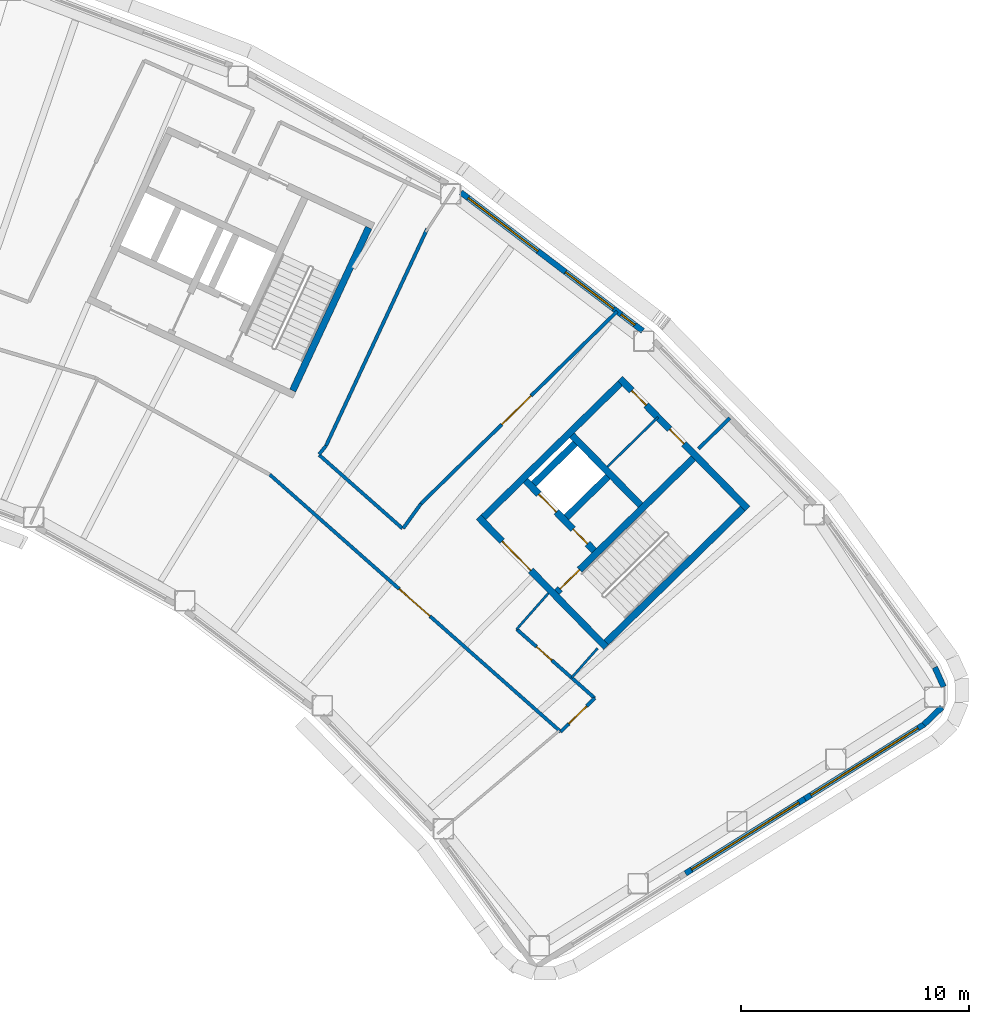
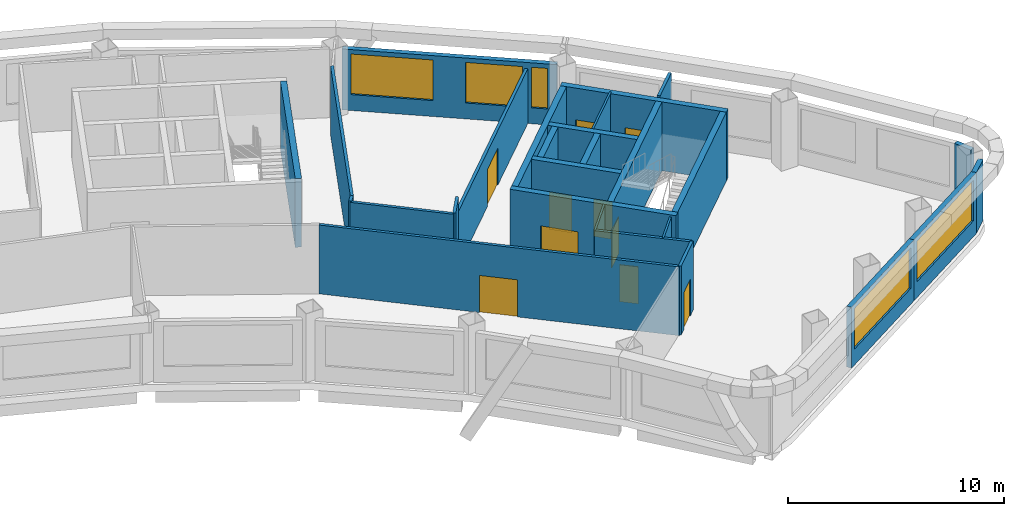
# One storey, part 8 of 12: 27 walls, 10 doors, 5 windows, 15 openings.
"""IFC4 building model written with IfcOpenShell, lengths in metres."""

from ifc_helpers import new_model, si_unit, direction, frame, frame_2d, origin, place, context, subcontext, project, spatial, rectangle, extrude, material, layer, layer_set, type_object, element, fill, save


model = new_model("IFC4")

# Units and contexts
model_context = context("Model", 3, precision=1e-05, world=origin(), true_north=direction((0.0, 1.0)))
body_context = subcontext(model_context, "Body", "Model", "MODEL_VIEW")
ifc_project = project(units=[si_unit("LENGTHUNIT", "METRE"), si_unit("AREAUNIT", "SQUARE_METRE"), si_unit("VOLUMEUNIT", "CUBIC_METRE"), si_unit("PLANEANGLEUNIT", "RADIAN"), si_unit("MASSUNIT", "GRAM", prefix="KILO")], contexts=[model_context])

# Site, building, storey
site_placement = place(None, origin())
site = spatial("IfcSite", under=ifc_project, at=site_placement, CompositionType="ELEMENT")
building_placement = place(site_placement, origin())
building = spatial("IfcBuilding", under=site, at=building_placement, Name="Tuul Gate Civic Tower", CompositionType="ELEMENT")
storey_placement = place(building_placement, frame((0.0, 0.0, 176.300048828125)))
storey = spatial("IfcBuildingStorey", under=building, at=storey_placement, Name="Level 40", CompositionType="ELEMENT", Elevation=176.300048828125)

# Wall, opening, door
ifc_material_1 = material(Name="Concrete C50/60", Category="concrete")
ifc_layer_1 = layer(ifc_material_1, 0.300048828125)
ifc_layer_set_1 = layer_set([ifc_layer_1], Name="Concrete C50/60")
wall_type_1 = type_object("IfcWallType", Name="Core wall C50/60", PredefinedType="SHEAR", material=ifc_layer_set_1)
wall_1_placement = place(storey_placement, frame((48.22509765625, -18.327880859375, 0.0), z_axis=(0.0, 0.0, 1.0), x_axis=(-0.700021979774, 0.714121297703, 0.0)))
wall_1 = element("IfcWall", 1, at=wall_1_placement, inside=storey, type_object=wall_type_1, Name="Core wall", PredefinedType="SHEAR", context=body_context, shape_type="SweptSolid", body=[
    extrude(rectangle(XDim=8.0, YDim=0.300048828125, at=frame_2d((4.0, 0.0))), origin(), (0.0, 0.0, 1.0), 3.89990234375),
])
opening_1_placement = place(wall_1_placement, frame((4.72509765625, 0.0, 0.0)))
opening_1 = element("IfcOpeningElement", 2, at=opening_1_placement, cuts=wall_1, Name="Opening LB-E1-LOBBY-1", PredefinedType="OPENING", context=body_context, shape_type="SweptSolid", body=[
    extrude(rectangle(XDim=1.800048828125, YDim=2.10009765625, at=frame_2d((0.89990234375, 1.050048828125))), frame((0.0, 0.16015625, 0.0), z_axis=(0.0, -1.0, 0.0), x_axis=(1.0, 0.0, 0.0)), (0.0, 0.0, 1.0), 0.320068359375),
])
ifc_material_2 = material(Name="Steel", Category="steel")
door_type_1 = type_object("IfcDoorType", Name="Lobby door", OperationType="DOUBLE_DOOR_SINGLE_SWING", PredefinedType="DOOR", material=ifc_material_2)
door_1_placement = place(opening_1_placement, frame((1.800048828125, 0.0, 0.0), z_axis=(0.0, 0.0, 1.0), x_axis=(-1.0, 0.0, 0.0)))
door_1 = element("IfcDoor", 3, at=door_1_placement, inside=storey, type_object=door_type_1, Name="Lobby door E1-LOBBY", OperationType="DOUBLE_DOOR_SINGLE_SWING", OverallHeight=2.10009765625, OverallWidth=1.800048828125, PredefinedType="DOOR", context=body_context, shape_type="SweptSolid", body=[
    extrude(rectangle(XDim=1.800048828125, YDim=2.10009765625, at=frame_2d((0.900146484375, 1.050048828125))), frame((0.0, 0.02490234375, 0.0), z_axis=(0.0, -1.0, 0.0), x_axis=(1.0, 0.0, 0.0)), (0.0, 0.0, 1.0), 0.050048828125),
])
fill(opening_1, door_1)

# Wall, openings, doors
wall_2_placement = place(storey_placement, frame((47.701904296875, -14.079833984375, 0.0), z_axis=(0.0, 0.0, 1.0), x_axis=(-0.700002721075, 0.714140175657, 0.0)))
wall_2 = element("IfcWall", 4, at=wall_2_placement, inside=storey, type_object=wall_type_1, Name="Core wall", PredefinedType="SHEAR", context=body_context, shape_type="SweptSolid", body=[
    extrude(rectangle(XDim=4.300048828125, YDim=0.300048828125, at=frame_2d((2.14990234375, 0.0))), origin(), (0.0, 0.0, 1.0), 3.89990234375),
])
opening_2_placement = place(wall_2_placement, frame((0.425048828125, 0.0, 0.0)))
opening_2 = element("IfcOpeningElement", 5, at=opening_2_placement, cuts=wall_2, Name="Opening FB-E1A1", PredefinedType="OPENING", context=body_context, shape_type="SweptSolid", body=[
    extrude(rectangle(XDim=0.89990234375, YDim=2.10009765625, at=frame_2d((0.449951171875, 1.050048828125))), frame((0.0, 0.16015625, 0.0), z_axis=(0.0, -1.0, 0.0), x_axis=(1.0, 0.0, 0.0)), (0.0, 0.0, 1.0), 0.320068359375),
])
opening_3_placement = place(wall_2_placement, frame((2.375, 0.0, 0.0)))
opening_3 = element("IfcOpeningElement", 6, at=opening_3_placement, cuts=wall_2, Name="Opening LD-M3", PredefinedType="OPENING", context=body_context, shape_type="SweptSolid", body=[
    extrude(rectangle(XDim=1.10009765625, YDim=2.10009765625, at=frame_2d((0.550048828125, 1.050048828125))), frame((0.0, 0.16015625, 0.0), z_axis=(0.0, -1.0, 0.0), x_axis=(1.0, 0.0, 0.0)), (0.0, 0.0, 1.0), 0.320068359375),
])
ifc_material_3 = material(Name="Stainless steel", Category="steel")
door_type_2 = type_object("IfcDoorType", Name="Landing door", OperationType="DOUBLE_DOOR_SLIDING", PredefinedType="DOOR", material=ifc_material_3)
door_2_placement = place(opening_3_placement, origin())
door_2 = element("IfcDoor", 7, at=door_2_placement, inside=storey, type_object=door_type_2, Name="Mid-rise lift M3 landing door", OperationType="DOUBLE_DOOR_SLIDING", OverallHeight=2.10009765625, OverallWidth=1.10009765625, PredefinedType="DOOR", context=body_context, shape_type="SweptSolid", body=[
    extrude(rectangle(XDim=1.10009765625, YDim=2.10009765625, at=frame_2d((0.550048828125, 1.050048828125))), frame((0.0, 0.02490234375, 0.0), z_axis=(0.0, -1.0, 0.0), x_axis=(1.0, 0.0, 0.0)), (0.0, 0.0, 1.0), 0.050048828125),
])
fill(opening_3, door_2)
ifc_material_4 = material(Name="Steel", Category="steel")
door_type_3 = type_object("IfcDoorType", Name="Store door", OperationType="NOTDEFINED", PredefinedType="DOOR", material=ifc_material_4)
door_3_placement = place(opening_2_placement, frame((0.89990234375, 0.0, 0.0), z_axis=(0.0, 0.0, 1.0), x_axis=(-1.0, 0.0, 0.0)))
door_3 = element("IfcDoor", 8, at=door_3_placement, inside=storey, type_object=door_type_3, Name="Store door E1A1", OperationType="SINGLE_SWING_RIGHT", OverallHeight=2.10009765625, OverallWidth=0.89990234375, PredefinedType="DOOR", context=body_context, shape_type="SweptSolid", body=[
    extrude(rectangle(XDim=0.89990234375, YDim=2.10009765625, at=frame_2d((0.449951171875, 1.050048828125))), frame((0.0, 0.02490234375, 0.0), z_axis=(0.0, -1.0, 0.0), x_axis=(1.0, 0.0, 0.0)), (0.0, 0.0, 1.0), 0.050048828125),
])
fill(opening_2, door_3)

# Wall
wall_3_placement = place(storey_placement, frame((49.737060546875, -12.0849609375, 0.0), z_axis=(0.0, 0.0, 1.0), x_axis=(-0.700002721075, 0.714140175657, 0.0)))
element("IfcWall", 9, at=wall_3_placement, inside=storey, type_object=wall_type_1, Name="Core wall", PredefinedType="SHEAR", context=body_context, shape_type="SweptSolid", body=[
    extrude(rectangle(XDim=4.300048828125, YDim=0.300048828125, at=frame_2d((2.14990234375, 0.0))), origin(), (0.0, 0.0, 1.0), 3.89990234375),
])

# Wall, openings, doors
wall_4_placement = place(storey_placement, frame((54.43798828125, -12.23779296875, 0.0), z_axis=(0.0, 0.0, 1.0), x_axis=(-0.700021979774, 0.714121297703, 0.0)))
wall_4 = element("IfcWall", 10, at=wall_4_placement, inside=storey, type_object=wall_type_1, Name="Core wall", PredefinedType="SHEAR", context=body_context, shape_type="SweptSolid", body=[
    extrude(rectangle(XDim=8.0, YDim=0.300048828125, at=frame_2d((4.0, 0.0))), origin(), (0.0, 0.0, 1.0), 3.89990234375),
])
opening_4_placement = place(wall_4_placement, frame((3.987548828125, 0.0, 0.0)))
opening_4 = element("IfcOpeningElement", 11, at=opening_4_placement, cuts=wall_4, Name="Opening N-D15", PredefinedType="OPENING", context=body_context, shape_type="SweptSolid", body=[
    extrude(rectangle(XDim=0.89990234375, YDim=2.10009765625, at=frame_2d((0.449951171875, 1.050048828125))), frame((0.0, 0.16015625, 0.0), z_axis=(0.0, -1.0, 0.0), x_axis=(1.0, 0.0, 0.0)), (0.0, 0.0, 1.0), 0.320068359375),
])
opening_5_placement = place(wall_4_placement, frame((6.362548828125, 0.0, 0.0)))
opening_5 = element("IfcOpeningElement", 12, at=opening_5_placement, cuts=wall_4, Name="Opening N-D16", PredefinedType="OPENING", context=body_context, shape_type="SweptSolid", body=[
    extrude(rectangle(XDim=0.89990234375, YDim=2.10009765625, at=frame_2d((0.449951171875, 1.050048828125))), frame((0.0, 0.16015625, 0.0), z_axis=(0.0, -1.0, 0.0), x_axis=(1.0, 0.0, 0.0)), (0.0, 0.0, 1.0), 0.320068359375),
])
ifc_material_5 = material(Name="Timber door leaf", Category="wood")
door_type_4 = type_object("IfcDoorType", Name="Door D09", OperationType="NOTDEFINED", PredefinedType="DOOR", material=ifc_material_5)
door_4_placement = place(opening_4_placement, origin())
door_4 = element("IfcDoor", 13, at=door_4_placement, inside=storey, type_object=door_type_4, Name="Door N-D15", OperationType="SINGLE_SWING_LEFT", OverallHeight=2.10009765625, OverallWidth=0.89990234375, PredefinedType="DOOR", context=body_context, shape_type="SweptSolid", body=[
    extrude(rectangle(XDim=0.89990234375, YDim=2.10009765625, at=frame_2d((0.449951171875, 1.050048828125))), frame((0.0, 0.02490234375, 0.0), z_axis=(0.0, -1.0, 0.0), x_axis=(1.0, 0.0, 0.0)), (0.0, 0.0, 1.0), 0.050048828125),
])
fill(opening_4, door_4)
door_5_placement = place(opening_5_placement, origin())
door_5 = element("IfcDoor", 14, at=door_5_placement, inside=storey, type_object=door_type_4, Name="Door N-D16", OperationType="SINGLE_SWING_LEFT", OverallHeight=2.10009765625, OverallWidth=0.89990234375, PredefinedType="DOOR", context=body_context, shape_type="SweptSolid", body=[
    extrude(rectangle(XDim=0.89990234375, YDim=2.10009765625, at=frame_2d((0.449951171875, 1.050048828125))), frame((0.0, 0.02490234375, 0.0), z_axis=(0.0, -1.0, 0.0), x_axis=(1.0, 0.0, 0.0)), (0.0, 0.0, 1.0), 0.050048828125),
])
fill(opening_5, door_5)

# Wall
wall_5_placement = place(storey_placement, frame((48.227294921875, -18.115966796875, 0.0), z_axis=(0.0, 0.0, 1.0), x_axis=(0.714105315431, 0.700038283577, 0.0)))
element("IfcWall", 15, at=wall_5_placement, inside=storey, type_object=wall_type_1, Name="Core wall", PredefinedType="SHEAR", context=body_context, shape_type="SweptSolid", body=[
    extrude(rectangle(XDim=8.400146484375, YDim=0.300048828125, at=frame_2d((4.2001953125, 0.0))), origin(), (0.0, 0.0, 1.0), 3.89990234375),
])

# Wall, opening, door
wall_6_placement = place(storey_placement, frame((46.05712890625, -15.902099609375, 0.0), z_axis=(0.0, 0.0, 1.0), x_axis=(0.714134086973, 0.700008932674, 0.0)))
wall_6 = element("IfcWall", 16, at=wall_6_placement, inside=storey, type_object=wall_type_1, Name="Core wall", PredefinedType="SHEAR", context=body_context, shape_type="SweptSolid", body=[
    extrude(rectangle(XDim=8.400146484375, YDim=0.300048828125, at=frame_2d((4.2001953125, 0.0))), origin(), (0.0, 0.0, 1.0), 3.89990234375),
])
opening_6_placement = place(wall_6_placement, frame((0.199951171875, 0.0, 0.0)))
opening_6 = element("IfcOpeningElement", 17, at=opening_6_placement, cuts=wall_6, Name="Opening SD-ST-3", PredefinedType="OPENING", context=body_context, shape_type="SweptSolid", body=[
    extrude(rectangle(XDim=1.199951171875, YDim=2.10009765625, at=frame_2d((0.60009765625, 1.050048828125))), frame((0.0, 0.16015625, 0.0), z_axis=(0.0, -1.0, 0.0), x_axis=(1.0, 0.0, 0.0)), (0.0, 0.0, 1.0), 0.320068359375),
])
ifc_material_6 = material(Name="Steel", Category="steel")
door_type_5 = type_object("IfcDoorType", Name="Stair door", OperationType="NOTDEFINED", PredefinedType="DOOR", material=ifc_material_6)
door_6_placement = place(opening_6_placement, origin())
door_6 = element("IfcDoor", 18, at=door_6_placement, inside=storey, type_object=door_type_5, Name="Stair door ST-3", OperationType="SINGLE_SWING_LEFT", OverallHeight=2.10009765625, OverallWidth=1.199951171875, PredefinedType="DOOR", context=body_context, shape_type="SweptSolid", body=[
    extrude(rectangle(XDim=1.199951171875, YDim=2.10009765625, at=frame_2d((0.60009765625, 1.050048828125))), frame((0.0, 0.02490234375, 0.0), z_axis=(0.0, -1.0, 0.0), x_axis=(1.0, 0.0, 0.0)), (0.0, 0.0, 1.0), 0.050048828125),
])
fill(opening_6, door_6)

# Walls
wall_7_placement = place(storey_placement, frame((46.47900390625, -12.617919921875, 0.0), z_axis=(0.0, 0.0, 1.0), x_axis=(0.71410944159, 0.700034074479, 0.0)))
element("IfcWall", 19, at=wall_7_placement, inside=storey, type_object=wall_type_1, Name="Core wall", PredefinedType="SHEAR", context=body_context, shape_type="SweptSolid", body=[
    extrude(rectangle(XDim=2.5498046875, YDim=0.300048828125, at=frame_2d((1.27490234375, 0.0))), origin(), (0.0, 0.0, 1.0), 3.89990234375),
])
wall_8_placement = place(storey_placement, frame((45.0439453125, -11.154052734375, 0.0), z_axis=(0.0, 0.0, 1.0), x_axis=(0.714108498262, 0.700035036773, 0.0)))
element("IfcWall", 20, at=wall_8_placement, inside=storey, type_object=wall_type_1, Name="Core wall", PredefinedType="SHEAR", context=body_context, shape_type="SweptSolid", body=[
    extrude(rectangle(XDim=2.550048828125, YDim=0.300048828125, at=frame_2d((1.27490234375, 0.0))), origin(), (0.0, 0.0, 1.0), 3.89990234375),
])
wall_9_placement = place(storey_placement, frame((42.837158203125, -12.616943359375, 0.0), z_axis=(0.0, 0.0, 1.0), x_axis=(0.714119844755, 0.700023461983, 0.0)))
element("IfcWall", 21, at=wall_9_placement, inside=storey, type_object=wall_type_1, Name="Core wall", PredefinedType="SHEAR", context=body_context, shape_type="SweptSolid", body=[
    extrude(rectangle(XDim=8.39990234375, YDim=0.300048828125, at=frame_2d((4.199951171875, 0.0))), origin(), (0.0, 0.0, 1.0), 3.89990234375),
])
wall_10_placement = place(storey_placement, frame((34.455810546875, -7.05078125, 0.0), z_axis=(0.0, 0.0, 1.0), x_axis=(0.422570768258, 0.906329932096, 0.0)))
element("IfcWall", 22, at=wall_10_placement, inside=storey, type_object=wall_type_1, Name="Core wall", PredefinedType="SHEAR", context=body_context, shape_type="SweptSolid", body=[
    extrude(rectangle(XDim=7.900146484375, YDim=0.300048828125, at=frame_2d((3.9501953125, 0.0))), origin(), (0.0, 0.0, 1.0), 3.89990234375),
])
ifc_material_7 = material(Name="Gypsum board partition")
ifc_layer_2 = layer(ifc_material_7, 0.14990234375)
ifc_layer_set_2 = layer_set([ifc_layer_2], Name="Gypsum board partition")
wall_type_2 = type_object("IfcWallType", Name="Corridor wall P150", PredefinedType="PARTITIONING", material=ifc_layer_set_2)
wall_11_placement = place(storey_placement, frame((35.616455078125, -9.875, 0.0), z_axis=(0.0, 0.0, 1.0), x_axis=(0.749743042124, -0.661729076576, 0.0)))
element("IfcWall", 23, at=wall_11_placement, inside=storey, type_object=wall_type_2, Name="p001", PredefinedType="PARTITIONING", context=body_context, shape_type="SweptSolid", body=[
    extrude(rectangle(XDim=4.884765625, YDim=0.14990234375, at=frame_2d((2.4423828125, 0.0))), origin(), (0.0, 0.0, 1.0), 3.89990234375),
])

# Wall, opening, door
wall_12_placement = place(storey_placement, frame((44.294677734375, -17.5341796875, 0.0), z_axis=(0.0, 0.0, 1.0), x_axis=(0.749764693368, -0.661704544777, 0.0)))
wall_12 = element("IfcWall", 24, at=wall_12_placement, inside=storey, type_object=wall_type_2, Name="p002", PredefinedType="PARTITIONING", context=body_context, shape_type="SweptSolid", body=[
    extrude(rectangle(XDim=4.577392578125, YDim=0.14990234375, at=frame_2d((2.28857421875, 0.0))), origin(), (0.0, 0.0, 1.0), 3.89990234375),
])
opening_7_placement = place(wall_12_placement, frame((1.159912109375, 0.0, 0.0)))
opening_7 = element("IfcOpeningElement", 25, at=opening_7_placement, cuts=wall_12, Name="Opening N-D01", PredefinedType="OPENING", context=body_context, shape_type="SweptSolid", body=[
    extrude(rectangle(XDim=0.89990234375, YDim=2.10009765625, at=frame_2d((0.449951171875, 1.050048828125))), frame((0.0, 0.0849609375, 0.0), z_axis=(0.0, -1.0, 0.0), x_axis=(1.0, 0.0, 0.0)), (0.0, 0.0, 1.0), 0.169921875),
])
door_7_placement = place(opening_7_placement, origin())
door_7 = element("IfcDoor", 26, at=door_7_placement, inside=storey, type_object=door_type_4, Name="Door N-D01", OperationType="SINGLE_SWING_RIGHT", OverallHeight=2.10009765625, OverallWidth=0.89990234375, PredefinedType="DOOR", context=body_context, shape_type="SweptSolid", body=[
    extrude(rectangle(XDim=0.89990234375, YDim=2.10009765625, at=frame_2d((0.449951171875, 1.050048828125))), frame((0.0, 0.02490234375, 0.0), z_axis=(0.0, -1.0, 0.0), x_axis=(1.0, 0.0, 0.0)), (0.0, 0.0, 1.0), 0.050048828125),
])
fill(opening_7, door_7)

# Walls
wall_13_placement = place(storey_placement, frame((39.308349609375, -13.10400390625, 0.0), z_axis=(0.0, 0.0, 1.0), x_axis=(0.584971616372, 0.811053763964, 0.0)))
element("IfcWall", 27, at=wall_13_placement, inside=storey, type_object=wall_type_2, Name="p006", PredefinedType="PARTITIONING", context=body_context, shape_type="SweptSolid", body=[
    extrude(rectangle(XDim=1.340087890625, YDim=0.14990234375, at=frame_2d((0.669921875, 0.0))), origin(), (0.0, 0.0, 1.0), 3.89990234375),
])
wall_14_placement = place(storey_placement, frame((35.6142578125, -9.847412109375, 0.0), z_axis=(0.0, 0.0, 1.0), x_axis=(0.633627276475, 0.773638464987, 0.0)))
element("IfcWall", 28, at=wall_14_placement, inside=storey, type_object=wall_type_2, Name="p007", PredefinedType="PARTITIONING", context=body_context, shape_type="SweptSolid", body=[
    extrude(rectangle(XDim=0.477783203125, YDim=0.14990234375, at=frame_2d((0.23876953125, 0.0))), origin(), (0.0, 0.0, 1.0), 3.89990234375),
])
wall_15_placement = place(storey_placement, frame((35.917236328125, -9.477294921875, 0.0), z_axis=(0.0, 0.0, 1.0), x_axis=(0.42258186523, 0.906324758119, 0.0)))
element("IfcWall", 29, at=wall_15_placement, inside=storey, type_object=wall_type_2, Name="p008", PredefinedType="PARTITIONING", context=body_context, shape_type="SweptSolid", body=[
    extrude(rectangle(XDim=10.522216796875, YDim=0.14990234375, at=frame_2d((5.26123046875, 0.0))), origin(), (0.0, 0.0, 1.0), 3.89990234375),
])

# Wall, opening, door
wall_16_placement = place(storey_placement, frame((33.445556640625, -10.73828125, 0.0), z_axis=(0.0, 0.0, 1.0), x_axis=(0.749315712161, -0.662212929131, 0.0)))
wall_16 = element("IfcWall", 30, at=wall_16_placement, inside=storey, type_object=wall_type_2, Name="p040", PredefinedType="PARTITIONING", context=body_context, shape_type="SweptSolid", body=[
    extrude(rectangle(XDim=17.06396484375, YDim=0.14990234375, at=frame_2d((8.531982421875, 0.0))), origin(), (0.0, 0.0, 1.0), 3.89990234375),
])
opening_8_placement = place(wall_16_placement, frame((7.591796875, 0.0, 0.0)))
opening_8 = element("IfcOpeningElement", 31, at=opening_8_placement, cuts=wall_16, Name="Opening N-D08", PredefinedType="OPENING", context=body_context, shape_type="SweptSolid", body=[
    extrude(rectangle(XDim=1.800048828125, YDim=2.10009765625, at=frame_2d((0.89990234375, 1.050048828125))), frame((0.0, 0.0849609375, 0.0), z_axis=(0.0, -1.0, 0.0), x_axis=(1.0, 0.0, 0.0)), (0.0, 0.0, 1.0), 0.169921875),
])
ifc_material_8 = material(Name="Timber door leaf, double", Category="wood")
door_type_6 = type_object("IfcDoorType", Name="Door D18", OperationType="DOUBLE_DOOR_SINGLE_SWING", PredefinedType="DOOR", material=ifc_material_8)
door_8_placement = place(opening_8_placement, frame((1.800048828125, 0.0, 0.0), z_axis=(0.0, 0.0, 1.0), x_axis=(-1.0, 0.0, 0.0)))
door_8 = element("IfcDoor", 32, at=door_8_placement, inside=storey, type_object=door_type_6, Name="Door N-D08", OperationType="DOUBLE_DOOR_SINGLE_SWING", OverallHeight=2.10009765625, OverallWidth=1.800048828125, PredefinedType="DOOR", context=body_context, shape_type="SweptSolid", body=[
    extrude(rectangle(XDim=1.800048828125, YDim=2.10009765625, at=frame_2d((0.900146484375, 1.050048828125))), frame((0.0, 0.02490234375, 0.0), z_axis=(0.0, -1.0, 0.0), x_axis=(1.0, 0.0, 0.0)), (0.0, 0.0, 1.0), 0.050048828125),
])
fill(opening_8, door_8)

# Wall
wall_17_placement = place(storey_placement, frame((52.281005859375, -9.60888671875, 0.0), z_axis=(0.0, 0.0, 1.0), x_axis=(0.714201482799, 0.699940170278, 0.0)))
element("IfcWall", 33, at=wall_17_placement, inside=storey, type_object=wall_type_2, Name="p051", PredefinedType="PARTITIONING", context=body_context, shape_type="SweptSolid", body=[
    extrude(rectangle(XDim=1.9345703125, YDim=0.14990234375, at=frame_2d((0.96728515625, 0.0))), origin(), (0.0, 0.0, 1.0), 3.89990234375),
])

# Wall, opening, door
wall_18_placement = place(storey_placement, frame((46.23193359375, -22.038330078125, 0.0), z_axis=(0.0, 0.0, 1.0), x_axis=(0.711683754501, 0.702499988313, 0.0)))
wall_18 = element("IfcWall", 34, at=wall_18_placement, inside=storey, type_object=wall_type_2, Name="p052", PredefinedType="PARTITIONING", context=body_context, shape_type="SweptSolid", body=[
    extrude(rectangle(XDim=2.10009765625, YDim=0.14990234375, at=frame_2d((1.050048828125, 0.0))), origin(), (0.0, 0.0, 1.0), 3.89990234375),
])
opening_9_placement = place(wall_18_placement, frame((0.5, 0.0, 0.0)))
opening_9 = element("IfcOpeningElement", 35, at=opening_9_placement, cuts=wall_18, Name="Opening N-D12", PredefinedType="OPENING", context=body_context, shape_type="SweptSolid", body=[
    extrude(rectangle(XDim=1.10009765625, YDim=2.10009765625, at=frame_2d((0.550048828125, 1.050048828125))), frame((0.0, 0.0849609375, 0.0), z_axis=(0.0, -1.0, 0.0), x_axis=(1.0, 0.0, 0.0)), (0.0, 0.0, 1.0), 0.169921875),
])
ifc_material_9 = material(Name="Timber door leaf", Category="wood")
door_type_7 = type_object("IfcDoorType", Name="Door D11", OperationType="NOTDEFINED", PredefinedType="DOOR", material=ifc_material_9)
door_9_placement = place(opening_9_placement, frame((1.10009765625, 0.0, 0.0), z_axis=(0.0, 0.0, 1.0), x_axis=(-1.0, 0.0, 0.0)))
door_9 = element("IfcDoor", 36, at=door_9_placement, inside=storey, type_object=door_type_7, Name="Door N-D12", OperationType="SINGLE_SWING_LEFT", OverallHeight=2.10009765625, OverallWidth=1.10009765625, PredefinedType="DOOR", context=body_context, shape_type="SweptSolid", body=[
    extrude(rectangle(XDim=1.10009765625, YDim=2.10009765625, at=frame_2d((0.550048828125, 1.050048828125))), frame((0.0, 0.02490234375, 0.0), z_axis=(0.0, -1.0, 0.0), x_axis=(1.0, 0.0, 0.0)), (0.0, 0.0, 1.0), 0.050048828125),
])
fill(opening_9, door_9)

ifc_material_10 = material(Name="Gypsum board partition")
ifc_layer_3 = layer(ifc_material_10, 0.14990234375)
ifc_layer_set_3 = layer_set([ifc_layer_3], Name="Gypsum board partition")
wall_type_3 = type_object("IfcWallType", Name="Corridor wall P150 3100 HIGH", PredefinedType="PARTITIONING", material=ifc_layer_set_3)
wall_19_placement = place(storey_placement, frame((40.093017578125, -12.016357421875, 0.0), z_axis=(0.0, 0.0, 1.0), x_axis=(0.714130130136, 0.700012969332, 0.0)))
wall_19 = element("IfcWall", 37, at=wall_19_placement, inside=storey, type_object=wall_type_3, Name="p005", PredefinedType="PARTITIONING", context=body_context, shape_type="SweptSolid", body=[
    extrude(rectangle(XDim=12.071044921875, YDim=0.14990234375, at=frame_2d((6.03564453125, 0.0))), origin(), (0.0, 0.0, 1.0), 3.099853515625),
])
opening_10_placement = place(wall_19_placement, frame((4.968505859375, 0.0, 0.0)))
opening_10 = element("IfcOpeningElement", 38, at=opening_10_placement, cuts=wall_19, Name="Opening N-D02", PredefinedType="OPENING", context=body_context, shape_type="SweptSolid", body=[
    extrude(rectangle(XDim=1.800048828125, YDim=2.10009765625, at=frame_2d((0.89990234375, 1.050048828125))), frame((0.0, 0.0849609375, 0.0), z_axis=(0.0, -1.0, 0.0), x_axis=(1.0, 0.0, 0.0)), (0.0, 0.0, 1.0), 0.169921875),
])
door_10_placement = place(opening_10_placement, origin())
door_10 = element("IfcDoor", 39, at=door_10_placement, inside=storey, type_object=door_type_6, Name="Door N-D02", OperationType="DOUBLE_DOOR_SINGLE_SWING", OverallHeight=2.10009765625, OverallWidth=1.800048828125, PredefinedType="DOOR", context=body_context, shape_type="SweptSolid", body=[
    extrude(rectangle(XDim=1.800048828125, YDim=2.10009765625, at=frame_2d((0.89990234375, 1.050048828125))), frame((0.0, 0.02490234375, 0.0), z_axis=(0.0, -1.0, 0.0), x_axis=(1.0, 0.0, 0.0)), (0.0, 0.0, 1.0), 0.050048828125),
])
fill(opening_10, door_10)

# Walls
ifc_material_11 = material(Name="Precast concrete C40/50", Category="concrete")
ifc_layer_4 = layer(ifc_material_11, 0.25)
ifc_layer_set_4 = layer_set([ifc_layer_4], Name="Precast concrete C40/50")
wall_type_4 = type_object("IfcWallType", Name="External wall", PredefinedType="STANDARD", material=ifc_layer_set_4)
wall_20_placement = place(storey_placement, frame((62.180419921875, -21.725830078125, 0.0), z_axis=(0.0, 0.0, 1.0), x_axis=(0.722107994372, 0.691780344087, 0.0)))
element("IfcWall", 40, at=wall_20_placement, inside=storey, type_object=wall_type_4, Name="External wall", PredefinedType="STANDARD", context=body_context, shape_type="SweptSolid", body=[
    extrude(rectangle(XDim=1.102783203125, YDim=0.25, at=frame_2d((0.55126953125, 0.0))), origin(), (0.0, 0.0, 1.0), 3.449951171875),
])
wall_21_placement = place(storey_placement, frame((63.0546875, -20.06298828125, 0.0), z_axis=(0.0, 0.0, 1.0), x_axis=(-0.413528765966, 0.910491054167, 0.0)))
element("IfcWall", 41, at=wall_21_placement, inside=storey, type_object=wall_type_4, Name="External wall", PredefinedType="STANDARD", context=body_context, shape_type="SweptSolid", body=[
    extrude(rectangle(XDim=0.939208984375, YDim=0.25, at=frame_2d((0.4697265625, 0.0))), origin(), (0.0, 0.0, 1.0), 3.449951171875),
])

# Wall, openings, windows
wall_22_placement = place(storey_placement, frame((49.83251953125, -4.425048828125, 0.0), z_axis=(0.0, 0.0, 1.0), x_axis=(-0.795600211162, 0.605822006862, 0.0)))
wall_22 = element("IfcWall", 42, at=wall_22_placement, inside=storey, type_object=wall_type_4, Name="External wall", PredefinedType="STANDARD", context=body_context, shape_type="SweptSolid", body=[
    extrude(rectangle(XDim=10.043212890625, YDim=0.25, at=frame_2d((5.021484375, 0.0))), origin(), (0.0, 0.0, 1.0), 3.449951171875),
])
opening_11_placement = place(wall_22_placement, frame((5.782958984375, 0.0, 0.89990234375)))
opening_11 = element("IfcOpeningElement", 43, at=opening_11_placement, cuts=wall_22, Name="Opening W22", PredefinedType="OPENING", context=body_context, shape_type="SweptSolid", body=[
    extrude(rectangle(XDim=3.85009765625, YDim=2.300048828125, at=frame_2d((1.925048828125, 1.14990234375))), frame((0.0, 0.135009765625, 0.0), z_axis=(0.0, -1.0, 0.0), x_axis=(1.0, 0.0, 0.0)), (0.0, 0.0, 1.0), 0.27001953125),
])
opening_12_placement = place(wall_22_placement, frame((0.436279296875, 0.0, 0.89990234375)))
opening_12 = element("IfcOpeningElement", 44, at=opening_12_placement, cuts=wall_22, Name="Opening W53", PredefinedType="OPENING", context=body_context, shape_type="SweptSolid", body=[
    extrude(rectangle(XDim=0.75, YDim=2.300048828125, at=frame_2d((0.375, 1.14990234375))), frame((0.0, 0.135009765625, 0.0), z_axis=(0.0, -1.0, 0.0), x_axis=(1.0, 0.0, 0.0)), (0.0, 0.0, 1.0), 0.27001953125),
])
opening_13_placement = place(wall_22_placement, frame((1.611328125, 0.0, 0.89990234375)))
opening_13 = element("IfcOpeningElement", 45, at=opening_13_placement, cuts=wall_22, Name="Opening W37", PredefinedType="OPENING", context=body_context, shape_type="SweptSolid", body=[
    extrude(rectangle(XDim=2.64990234375, YDim=2.300048828125, at=frame_2d((1.324951171875, 1.14990234375))), frame((0.0, 0.135009765625, 0.0), z_axis=(0.0, -1.0, 0.0), x_axis=(1.0, 0.0, 0.0)), (0.0, 0.0, 1.0), 0.27001953125),
])
ifc_material_12 = material(Name="Glass", Category="glass")
window_type_1 = type_object("IfcWindowType", Name="Window 2650 x 2300", PartitioningType="SINGLE_PANEL", PredefinedType="WINDOW", material=ifc_material_12)
window_1_placement = place(opening_13_placement, origin())
window_1 = element("IfcWindow", 46, at=window_1_placement, inside=storey, type_object=window_type_1, Name="Window", OverallHeight=2.300048828125, OverallWidth=2.64990234375, PartitioningType="SINGLE_PANEL", PredefinedType="WINDOW", context=body_context, shape_type="SweptSolid", body=[
    extrude(rectangle(XDim=2.64990234375, YDim=2.300048828125, at=frame_2d((1.324951171875, 1.14990234375))), frame((0.0, 0.030029296875, 0.0), z_axis=(0.0, -1.0, 0.0), x_axis=(1.0, 0.0, 0.0)), (0.0, 0.0, 1.0), 0.06005859375),
])
fill(opening_13, window_1)
ifc_material_13 = material(Name="Glass", Category="glass")
window_type_2 = type_object("IfcWindowType", Name="Window 750 x 2300", PartitioningType="SINGLE_PANEL", PredefinedType="WINDOW", material=ifc_material_13)
window_2_placement = place(opening_12_placement, origin())
window_2 = element("IfcWindow", 47, at=window_2_placement, inside=storey, type_object=window_type_2, Name="Window", OverallHeight=2.300048828125, OverallWidth=0.75, PartitioningType="SINGLE_PANEL", PredefinedType="WINDOW", context=body_context, shape_type="SweptSolid", body=[
    extrude(rectangle(XDim=0.75, YDim=2.300048828125, at=frame_2d((0.375, 1.14990234375))), frame((0.0, 0.030029296875, 0.0), z_axis=(0.0, -1.0, 0.0), x_axis=(1.0, 0.0, 0.0)), (0.0, 0.0, 1.0), 0.06005859375),
])
fill(opening_12, window_2)
ifc_material_14 = material(Name="Glass", Category="glass")
window_type_3 = type_object("IfcWindowType", Name="Window W22 3850 x 2300", PartitioningType="SINGLE_PANEL", PredefinedType="WINDOW", material=ifc_material_14)
window_3_placement = place(opening_11_placement, origin())
window_3 = element("IfcWindow", 48, at=window_3_placement, inside=storey, type_object=window_type_3, Name="Window", OverallHeight=2.300048828125, OverallWidth=3.85009765625, PartitioningType="SINGLE_PANEL", PredefinedType="WINDOW", context=body_context, shape_type="SweptSolid", body=[
    extrude(rectangle(XDim=3.85009765625, YDim=2.300048828125, at=frame_2d((1.925048828125, 1.14990234375))), frame((0.0, 0.030029296875, 0.0), z_axis=(0.0, -1.0, 0.0), x_axis=(1.0, 0.0, 0.0)), (0.0, 0.0, 1.0), 0.06005859375),
])
fill(opening_11, window_3)

# Wall, opening, window
wall_23_placement = place(storey_placement, frame((51.714111328125, -28.2626953125, 0.0), z_axis=(0.0, 0.0, 1.0), x_axis=(0.848053758074, 0.529910203164, 0.0)))
wall_23 = element("IfcWall", 49, at=wall_23_placement, inside=storey, type_object=wall_type_4, Name="External wall", PredefinedType="STANDARD", context=body_context, shape_type="SweptSolid", body=[
    extrude(rectangle(XDim=6.182861328125, YDim=0.25, at=frame_2d((3.09130859375, 0.0))), origin(), (0.0, 0.0, 1.0), 3.449951171875),
])
opening_14_placement = place(wall_23_placement, frame((0.31640625, 0.0, 0.89990234375)))
opening_14 = element("IfcOpeningElement", 50, at=opening_14_placement, cuts=wall_23, Name="Opening W24", PredefinedType="OPENING", context=body_context, shape_type="SweptSolid", body=[
    extrude(rectangle(XDim=5.550048828125, YDim=2.300048828125, at=frame_2d((2.77490234375, 1.14990234375))), frame((0.0, 0.135009765625, 0.0), z_axis=(0.0, -1.0, 0.0), x_axis=(1.0, 0.0, 0.0)), (0.0, 0.0, 1.0), 0.27001953125),
])
ifc_material_15 = material(Name="Glass", Category="glass")
window_type_4 = type_object("IfcWindowType", Name="Window W24 5550 x 2300", PartitioningType="SINGLE_PANEL", PredefinedType="WINDOW", material=ifc_material_15)
window_4_placement = place(opening_14_placement, origin())
window_4 = element("IfcWindow", 51, at=window_4_placement, inside=storey, type_object=window_type_4, Name="Window", OverallHeight=2.300048828125, OverallWidth=5.550048828125, PartitioningType="SINGLE_PANEL", PredefinedType="WINDOW", context=body_context, shape_type="SweptSolid", body=[
    extrude(rectangle(XDim=5.550048828125, YDim=2.300048828125, at=frame_2d((2.77490234375, 1.14990234375))), frame((0.0, 0.030029296875, 0.0), z_axis=(0.0, -1.0, 0.0), x_axis=(1.0, 0.0, 0.0)), (0.0, 0.0, 1.0), 0.06005859375),
])
fill(opening_14, window_4)

wall_24_placement = place(storey_placement, frame((56.95751953125, -24.986328125, 0.0), z_axis=(0.0, 0.0, 1.0), x_axis=(0.848042669488, 0.529927948619, 0.0)))
wall_24 = element("IfcWall", 52, at=wall_24_placement, inside=storey, type_object=wall_type_4, Name="External wall", PredefinedType="STANDARD", context=body_context, shape_type="SweptSolid", body=[
    extrude(rectangle(XDim=6.1826171875, YDim=0.25, at=frame_2d((3.09130859375, 0.0))), origin(), (0.0, 0.0, 1.0), 3.449951171875),
])
opening_15_placement = place(wall_24_placement, frame((0.31640625, 0.0, 0.89990234375)))
opening_15 = element("IfcOpeningElement", 53, at=opening_15_placement, cuts=wall_24, Name="Opening W24", PredefinedType="OPENING", context=body_context, shape_type="SweptSolid", body=[
    extrude(rectangle(XDim=5.550048828125, YDim=2.300048828125, at=frame_2d((2.77490234375, 1.14990234375))), frame((0.0, 0.135009765625, 0.0), z_axis=(0.0, -1.0, 0.0), x_axis=(1.0, 0.0, 0.0)), (0.0, 0.0, 1.0), 0.27001953125),
])
window_5_placement = place(opening_15_placement, origin())
window_5 = element("IfcWindow", 54, at=window_5_placement, inside=storey, type_object=window_type_4, Name="Window", OverallHeight=2.300048828125, OverallWidth=5.550048828125, PartitioningType="SINGLE_PANEL", PredefinedType="WINDOW", context=body_context, shape_type="SweptSolid", body=[
    extrude(rectangle(XDim=5.550048828125, YDim=2.300048828125, at=frame_2d((2.77490234375, 1.14990234375))), frame((0.0, 0.030029296875, 0.0), z_axis=(0.0, -1.0, 0.0), x_axis=(1.0, 0.0, 0.0)), (0.0, 0.0, 1.0), 0.06005859375),
])
fill(opening_15, window_5)

# Walls
ifc_material_16 = material(Name="Gypsum board partition")
ifc_layer_5 = layer(ifc_material_16, 0.10009765625)
ifc_layer_set_5 = layer_set([ifc_layer_5], Name="Gypsum board partition")
wall_type_5 = type_object("IfcWallType", Name="Partition P100", PredefinedType="PARTITIONING", material=ifc_layer_set_5)
wall_25_placement = place(storey_placement, frame((46.708740234375, -19.664794921875, 0.0), z_axis=(0.0, 0.0, 1.0), x_axis=(0.661748139876, 0.749726216276, 0.0)))
element("IfcWall", 55, at=wall_25_placement, inside=storey, type_object=wall_type_5, Name="p003", PredefinedType="PARTITIONING", context=body_context, shape_type="SweptSolid", body=[
    extrude(rectangle(XDim=1.723388671875, YDim=0.10009765625, at=frame_2d((0.86181640625, 0.0))), origin(), (0.0, 0.0, 1.0), 3.89990234375),
])
wall_26_placement = place(storey_placement, frame((44.294677734375, -17.5341796875, 0.0), z_axis=(0.0, 0.0, 1.0), x_axis=(0.661698288491, 0.749770214805, 0.0)))
element("IfcWall", 56, at=wall_26_placement, inside=storey, type_object=wall_type_5, Name="p053", PredefinedType="PARTITIONING", context=body_context, shape_type="SweptSolid", body=[
    extrude(rectangle(XDim=2.106689453125, YDim=0.10009765625, at=frame_2d((1.05322265625, 0.0))), origin(), (0.0, 0.0, 1.0), 3.89990234375),
])
wall_27_placement = place(storey_placement, frame((48.28662109375, -10.390869140625, 0.0), z_axis=(0.0, 0.0, 1.0), x_axis=(0.714159293908, 0.699983216173, 0.0)))
element("IfcWall", 57, at=wall_27_placement, inside=storey, type_object=wall_type_5, Name="bE1-BAND-0", PredefinedType="PARTITIONING", context=body_context, shape_type="SweptSolid", body=[
    extrude(rectangle(XDim=3.099853515625, YDim=0.10009765625, at=frame_2d((1.5498046875, 0.0))), origin(), (0.0, 0.0, 1.0), 3.89990234375),
])

save(model, "model.ifc")
